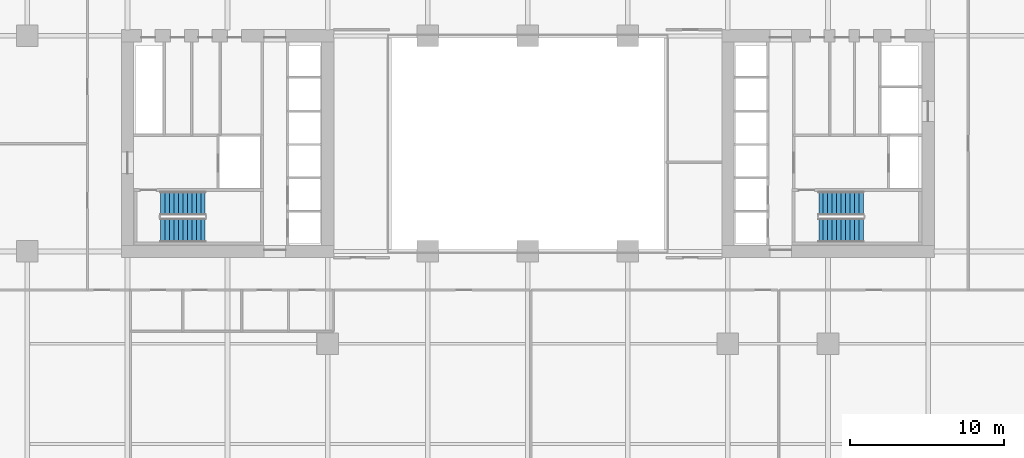
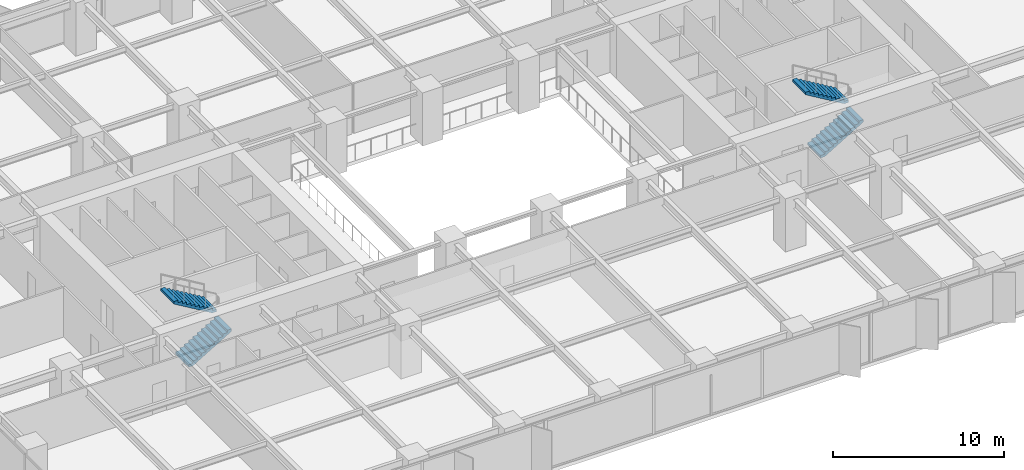
# One storey, part 16 of 21: 4 stair flights, 2 elements without a shape of their own.
"""IFC4 building model written with IfcOpenShell, lengths in metres."""

from ifc_helpers import new_model, si_unit, direction, frame, origin, place, context, subcontext, project, spatial, polyline, outline, extrude, material, type_object, element, aggregate, save


model = new_model("IFC4")

# Units and contexts
model_context = context("Model", 3, precision=1e-05, world=origin(), true_north=direction((0.0, 1.0)))
body_context = subcontext(model_context, "Body", "Model", "MODEL_VIEW")
ifc_project = project(units=[si_unit("LENGTHUNIT", "METRE"), si_unit("AREAUNIT", "SQUARE_METRE"), si_unit("VOLUMEUNIT", "CUBIC_METRE"), si_unit("PLANEANGLEUNIT", "RADIAN"), si_unit("MASSUNIT", "GRAM", prefix="KILO")], contexts=[model_context])

# Site, building, storey
site_placement = place(None, origin())
site = spatial("IfcSite", under=ifc_project, at=site_placement, CompositionType="ELEMENT")
building_placement = place(site_placement, origin())
building = spatial("IfcBuilding", under=site, at=building_placement, Name="Putna Gate Headquarters", CompositionType="ELEMENT")
storey_placement = place(building_placement, frame((0.0, 0.0, 39.199951171875)))
storey = spatial("IfcBuildingStorey", under=building, at=storey_placement, Name="L08", CompositionType="ELEMENT", Elevation=39.199951171875)

# Stair, stair flights
ifc_material = material(Name="Concrete C40/50", Category="concrete")
stair_type_1 = type_object("IfcStairType", Name="STAIR-ST1", PredefinedType="HALF_TURN_STAIR", material=ifc_material)
stair_1_placement = place(storey_placement, origin())
stair_1 = element("IfcStair", 1, at=stair_1_placement, inside=storey, type_object=stair_type_1, Name="L08 West Core Exit Stair ST1", PredefinedType="HALF_TURN_STAIR")
stair_flight_type_1 = type_object("IfcStairFlightType", Name="FLIGHT-ST1", PredefinedType="STRAIGHT", material=ifc_material)
stair_flight_1_placement = place(storey_placement, frame((15.14990234375, 20.375, 0.0), z_axis=(0.0, 0.0, 1.0), x_axis=(1.0, 0.0, 0.0)))
stair_flight_1 = element("IfcStairFlight", 2, at=stair_flight_1_placement, type_object=stair_flight_type_1, Name="ST1 flight 1", NumberOfRisers=11, NumberOfTreads=10, PredefinedType="STRAIGHT", RiserHeight=0.172727273, TreadLength=0.29, context=body_context, shape_type="SweptSolid", body=[
    extrude(outline(polyline([(0.0, 0.0), (0.0, 0.172607421875), (0.2900390625, 0.172607421875), (0.2900390625, 0.345458984375), (0.580078125, 0.345458984375), (0.580078125, 0.51806640625), (0.8701171875, 0.51806640625), (0.8701171875, 0.69091796875), (1.159912109375, 0.69091796875), (1.159912109375, 0.863525390625), (1.449951171875, 0.863525390625), (1.449951171875, 1.036376953125), (1.739990234375, 1.036376953125), (1.739990234375, 1.208984375), (2.030029296875, 1.208984375), (2.030029296875, 1.3818359375), (2.320068359375, 1.3818359375), (2.320068359375, 1.554443359375), (2.610107421875, 1.554443359375), (2.610107421875, 1.727294921875), (2.89990234375, 1.727294921875), (2.89990234375, 1.89990234375), (2.89990234375, 1.552734375), (0.29296875, 0.0), (0.0, 0.0)])), frame((0.0, 0.77490234375, 0.0), z_axis=(0.0, -1.0, 0.0), x_axis=(1.0, 0.0, 0.0)), (0.0, 0.0, 1.0), 1.550048828125),
])
stair_flight_2_placement = place(storey_placement, frame((18.050048828125, 22.125, 1.900146484375), z_axis=(0.0, 0.0, 1.0), x_axis=(-1.0, 0.0, 0.0)))
stair_flight_2 = element("IfcStairFlight", 3, at=stair_flight_2_placement, type_object=stair_flight_type_1, Name="ST1 flight 2", NumberOfRisers=11, NumberOfTreads=10, PredefinedType="STRAIGHT", RiserHeight=0.172727273, TreadLength=0.29, context=body_context, shape_type="SweptSolid", body=[
    extrude(outline(polyline([(0.0, 0.0), (0.0, 0.172607421875), (0.2900390625, 0.172607421875), (0.2900390625, 0.345458984375), (0.580078125, 0.345458984375), (0.580078125, 0.51806640625), (0.8701171875, 0.51806640625), (0.8701171875, 0.69091796875), (1.159912109375, 0.69091796875), (1.159912109375, 0.863525390625), (1.449951171875, 0.863525390625), (1.449951171875, 1.036376953125), (1.739990234375, 1.036376953125), (1.739990234375, 1.208984375), (2.030029296875, 1.208984375), (2.030029296875, 1.3818359375), (2.320068359375, 1.3818359375), (2.320068359375, 1.554443359375), (2.610107421875, 1.554443359375), (2.610107421875, 1.727294921875), (2.89990234375, 1.727294921875), (2.89990234375, 1.89990234375), (2.89990234375, 1.552734375), (0.29296875, 0.0), (0.0, 0.0)])), frame((0.0, 0.77490234375, 0.0), z_axis=(0.0, -1.0, 0.0), x_axis=(1.0, 0.0, 0.0)), (0.0, 0.0, 1.0), 1.550048828125),
])
aggregate(stair_1, [stair_flight_1, stair_flight_2])

stair_type_2 = type_object("IfcStairType", Name="STAIR-ST2", PredefinedType="HALF_TURN_STAIR", material=ifc_material)
stair_2_placement = place(storey_placement, origin())
stair_2 = element("IfcStair", 4, at=stair_2_placement, inside=storey, type_object=stair_type_2, Name="L08 East Core Exit Stair ST2", PredefinedType="HALF_TURN_STAIR")
stair_flight_type_2 = type_object("IfcStairFlightType", Name="FLIGHT-ST2", PredefinedType="STRAIGHT", material=ifc_material)
stair_flight_3_placement = place(storey_placement, frame((57.89990234375, 20.375, 0.0), z_axis=(0.0, 0.0, 1.0), x_axis=(1.0, 0.0, 0.0)))
stair_flight_3 = element("IfcStairFlight", 5, at=stair_flight_3_placement, type_object=stair_flight_type_2, Name="ST2 flight 1", NumberOfRisers=11, NumberOfTreads=10, PredefinedType="STRAIGHT", RiserHeight=0.172727273, TreadLength=0.29, context=body_context, shape_type="SweptSolid", body=[
    extrude(outline(polyline([(0.0, 0.0), (0.0, 0.172607421875), (0.2900390625, 0.172607421875), (0.2900390625, 0.345458984375), (0.580078125, 0.345458984375), (0.580078125, 0.51806640625), (0.8701171875, 0.51806640625), (0.8701171875, 0.69091796875), (1.159912109375, 0.69091796875), (1.159912109375, 0.863525390625), (1.449951171875, 0.863525390625), (1.449951171875, 1.036376953125), (1.739990234375, 1.036376953125), (1.739990234375, 1.208984375), (2.030029296875, 1.208984375), (2.030029296875, 1.3818359375), (2.320068359375, 1.3818359375), (2.320068359375, 1.554443359375), (2.610107421875, 1.554443359375), (2.610107421875, 1.727294921875), (2.89990234375, 1.727294921875), (2.89990234375, 1.89990234375), (2.89990234375, 1.552734375), (0.29296875, 0.0), (0.0, 0.0)])), frame((0.0, 0.77490234375, 0.0), z_axis=(0.0, -1.0, 0.0), x_axis=(1.0, 0.0, 0.0)), (0.0, 0.0, 1.0), 1.550048828125),
])
stair_flight_4_placement = place(storey_placement, frame((60.800048828125, 22.125, 1.900146484375), z_axis=(0.0, 0.0, 1.0), x_axis=(-1.0, 0.0, 0.0)))
stair_flight_4 = element("IfcStairFlight", 6, at=stair_flight_4_placement, type_object=stair_flight_type_2, Name="ST2 flight 2", NumberOfRisers=11, NumberOfTreads=10, PredefinedType="STRAIGHT", RiserHeight=0.172727273, TreadLength=0.29, context=body_context, shape_type="SweptSolid", body=[
    extrude(outline(polyline([(0.0, 0.0), (0.0, 0.172607421875), (0.2900390625, 0.172607421875), (0.2900390625, 0.345458984375), (0.580078125, 0.345458984375), (0.580078125, 0.51806640625), (0.8701171875, 0.51806640625), (0.8701171875, 0.69091796875), (1.159912109375, 0.69091796875), (1.159912109375, 0.863525390625), (1.449951171875, 0.863525390625), (1.449951171875, 1.036376953125), (1.739990234375, 1.036376953125), (1.739990234375, 1.208984375), (2.030029296875, 1.208984375), (2.030029296875, 1.3818359375), (2.320068359375, 1.3818359375), (2.320068359375, 1.554443359375), (2.610107421875, 1.554443359375), (2.610107421875, 1.727294921875), (2.89990234375, 1.727294921875), (2.89990234375, 1.89990234375), (2.89990234375, 1.552734375), (0.29296875, 0.0), (0.0, 0.0)])), frame((0.0, 0.77490234375, 0.0), z_axis=(0.0, -1.0, 0.0), x_axis=(1.0, 0.0, 0.0)), (0.0, 0.0, 1.0), 1.550048828125),
])
aggregate(stair_2, [stair_flight_3, stair_flight_4])

save(model, "model.ifc")
